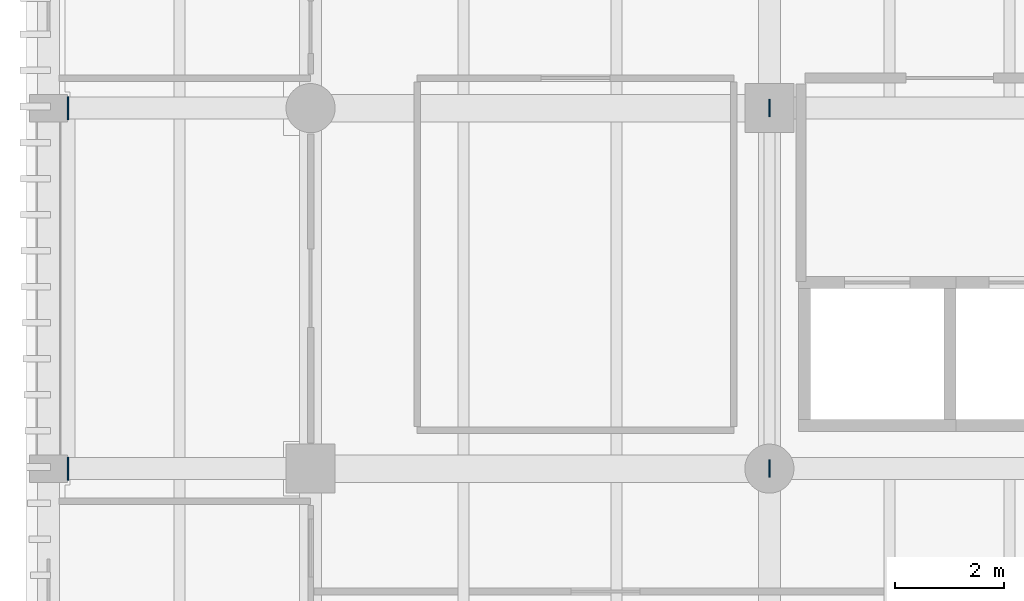
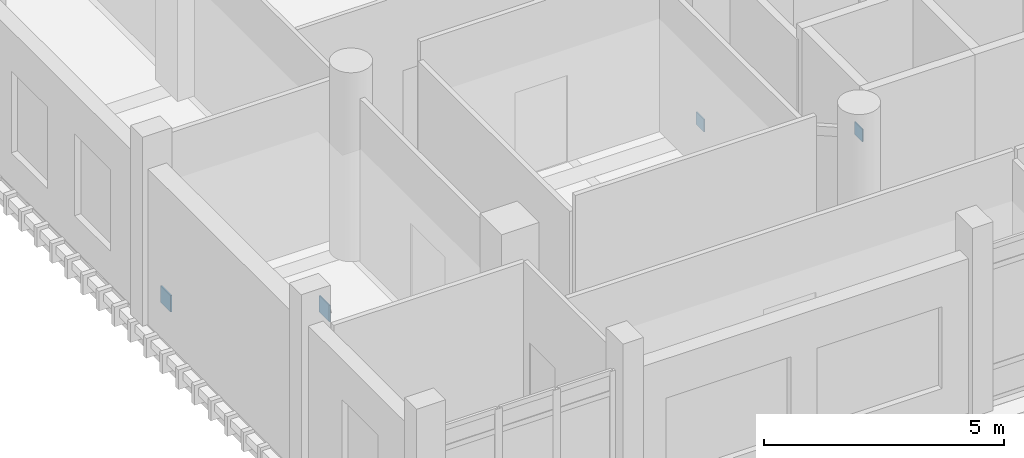
# One storey, part 83 of 125: 4 plates.
"""IFC4 building model written with IfcOpenShell, lengths in metres."""

from ifc_helpers import new_model, si_unit, direction, frame, origin, origin_2d, place, context, subcontext, project, spatial, rectangle, extrude, material, layer, layer_set, type_object, element, save


model = new_model("IFC4")

# Units and contexts
model_context = context("Model", 3, precision=1e-05, world=origin(), true_north=direction((0.0, 1.0)))
body_context = subcontext(model_context, "Body", "Model", "MODEL_VIEW")
ifc_project = project(units=[si_unit("LENGTHUNIT", "METRE"), si_unit("AREAUNIT", "SQUARE_METRE"), si_unit("VOLUMEUNIT", "CUBIC_METRE"), si_unit("PLANEANGLEUNIT", "RADIAN"), si_unit("MASSUNIT", "GRAM", prefix="KILO")], contexts=[model_context])

# Site, building, storey
site_placement = place(None, origin())
site = spatial("IfcSite", under=ifc_project, at=site_placement, CompositionType="ELEMENT")
building_placement = place(site_placement, origin())
building = spatial("IfcBuilding", under=site, at=building_placement, Name="Dornvale Research Institute", CompositionType="ELEMENT")
storey_placement = place(building_placement, frame((0.0, 0.0, 5.39990234375)))
storey = spatial("IfcBuildingStorey", under=building, at=storey_placement, Name="L01", CompositionType="ELEMENT", Elevation=5.39990234375)

# Plates
ifc_material_1 = material(Name="Steel ASTM A572 Grade 50", Category="steel")
ifc_layer_1 = layer(ifc_material_1, 0.02490234375)
ifc_layer_set_1 = layer_set([ifc_layer_1], Name="Steel ASTM A572 Grade 50")
plate_type_1 = type_object("IfcPlateType", Name="SheetPlate_EndCap_25", PredefinedType="SHEET", material=ifc_layer_set_1)
for number, where, z_axis, x_axis, name in (
    (1, (13.199951171875, 110.39990234375, 0.14013671875), (0.0, 0.0, 1.0), (0.0, 1.0, 0.0), "HSS brace node gusset and cap plate ND-027"),
    (2, (13.199951171875, 103.800048828125, 3.89013671875), (0.0, 0.0, 1.0), (0.0, 1.0, 0.0), "HSS brace node gusset and cap plate ND-028"),
):
    element("IfcPlate", number, at=place(storey_placement, frame(where, z_axis=z_axis, x_axis=x_axis)), inside=storey, type_object=plate_type_1, Name=name, PredefinedType="SHEET", context=body_context, shape_type="SweptSolid", body=[
        extrude(rectangle(XDim=0.320068359375, YDim=0.02490234375, at=origin_2d()), origin(), (0.0, 0.0, 1.0), 0.320068359375),
    ])
ifc_material_2 = material(Name="Steel ASTM A572 Grade 50", Category="steel")
ifc_layer_2 = layer(ifc_material_2, 0.031982421875)
ifc_layer_set_2 = layer_set([ifc_layer_2], Name="Steel ASTM A572 Grade 50")
plate_type_2 = type_object("IfcPlateType", Name="SheetPlate_Gusset_32", PredefinedType="SHEET", material=ifc_layer_set_2)
for number, where, z_axis, x_axis, name in (
    (3, (0.360107421875, 110.39990234375, 0.090087890625), (0.0, 0.0, 1.0), (0.0, 1.0, 0.0), "HSS brace node gusset and cap plate ND-017"),
    (4, (0.360107421875, 103.800048828125, 3.840087890625), (0.0, 0.0, 1.0), (0.0, 1.0, 0.0), "HSS brace node gusset and cap plate ND-018"),
):
    element("IfcPlate", number, at=place(storey_placement, frame(where, z_axis=z_axis, x_axis=x_axis)), inside=storey, type_object=plate_type_2, Name=name, PredefinedType="SHEET", context=body_context, shape_type="SweptSolid", body=[
        extrude(rectangle(XDim=0.419921875, YDim=0.031982421875, at=origin_2d()), origin(), (0.0, 0.0, 1.0), 0.419921875),
    ])

save(model, "model.ifc")
